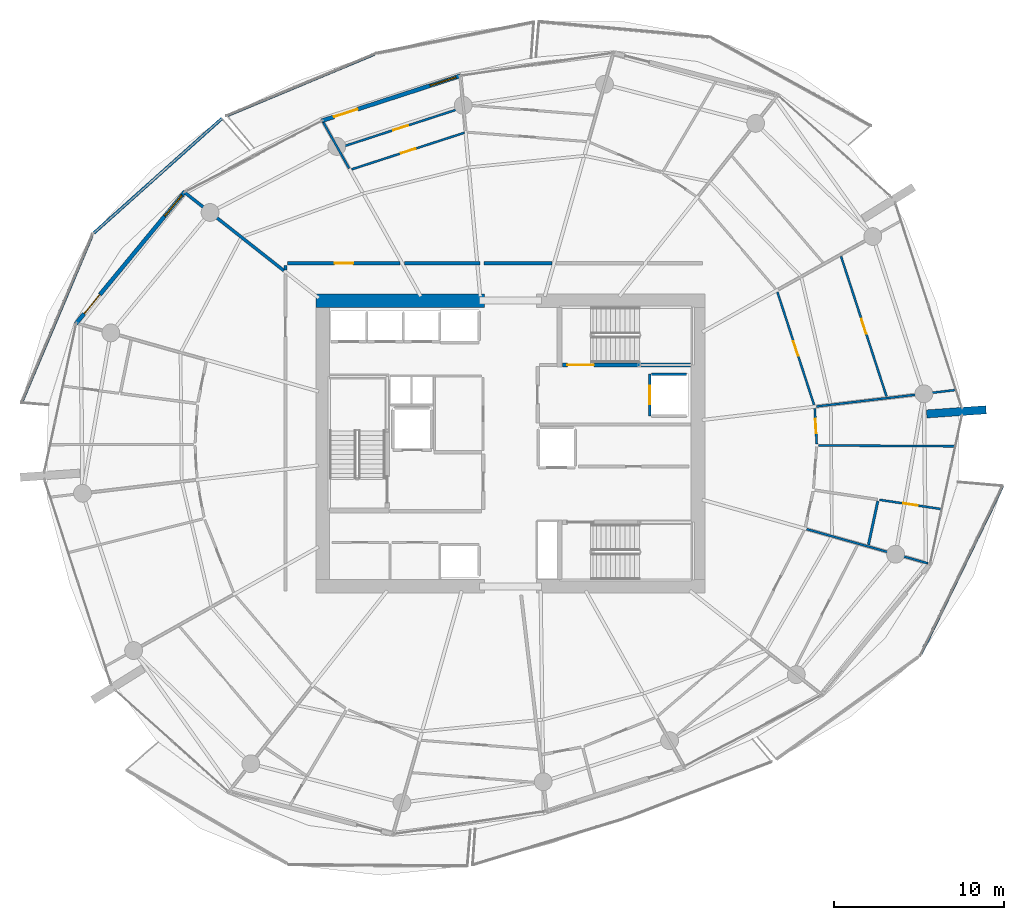
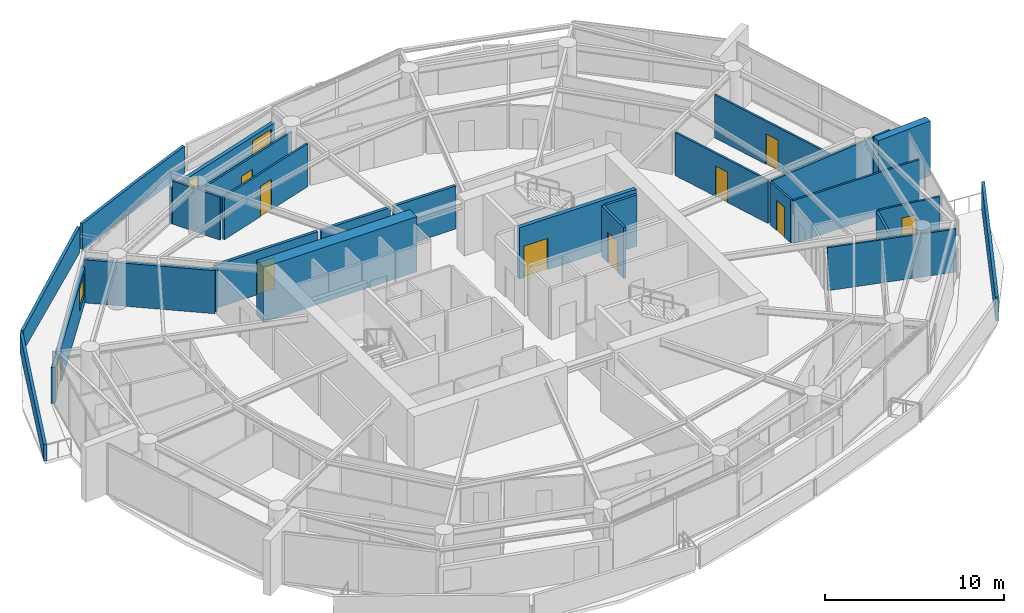
# One storey, part 14 of 20: 27 walls, 11 doors, 2 windows, 13 openings.
"""IFC4 building model written with IfcOpenShell, lengths in metres."""

from ifc_helpers import new_model, si_unit, direction, frame, frame_2d, origin, place, context, subcontext, project, spatial, polyline, rectangle, outline, extrude, material, layer, layer_set, type_object, element, fill, save


model = new_model("IFC4")

# Units and contexts
model_context = context("Model", 3, precision=1e-05, world=origin(), true_north=direction((0.0, 1.0)))
body_context = subcontext(model_context, "Body", "Model", "MODEL_VIEW")
ifc_project = project(units=[si_unit("LENGTHUNIT", "METRE"), si_unit("AREAUNIT", "SQUARE_METRE"), si_unit("VOLUMEUNIT", "CUBIC_METRE"), si_unit("PLANEANGLEUNIT", "RADIAN"), si_unit("MASSUNIT", "GRAM", prefix="KILO")], contexts=[model_context])

# Site, building, storey
site_placement = place(None, origin())
site = spatial("IfcSite", under=ifc_project, at=site_placement, CompositionType="ELEMENT")
building_placement = place(site_placement, origin())
building = spatial("IfcBuilding", under=site, at=building_placement, Name="Kazma Halo Residences", CompositionType="ELEMENT")
storey_placement = place(building_placement, frame((0.0, 0.0, 150.300048828125)))
storey = spatial("IfcBuildingStorey", under=building, at=storey_placement, Name="L37", CompositionType="ELEMENT", Elevation=150.300048828125)

# Walls
ifc_material_1 = material(Name="White Concrete C50/60 Balustrade", Category="concrete")
ifc_layer_1 = layer(ifc_material_1, 0.179931640625)
ifc_layer_set_1 = layer_set([ifc_layer_1], Name="White Concrete C50/60 Balustrade")
wall_type_1 = type_object("IfcWallType", Name="WL-BAL-WAVE-180", PredefinedType="PARAPET", material=ifc_layer_set_1)
wall_1_placement = place(storey_placement, frame((40.433349609375, 64.90087890625, 0.0), z_axis=(0.0, 0.0, 1.0), x_axis=(-0.922918869306, -0.384994494349, 0.0)))
element("IfcWall", 1, at=wall_1_placement, inside=storey, type_object=wall_type_1, Name="L37 white wave balustrade wall NNW.2", PredefinedType="PARAPET", context=body_context, shape_type="SweptSolid", body=[
    extrude(outline(polyline([(0.0, 0.0), (9.4189453125, 0.0), (9.418701171875, 1.755859375), (4.70947265625, 1.85302734375), (0.0, 1.83203125), (0.0, 0.0)])), frame((0.0, 0.08984375, 0.0), z_axis=(0.0, -1.0, 0.0), x_axis=(1.0, 0.0, 0.0)), (0.0, 0.0, 1.0), 0.179931640625),
])
wall_2_placement = place(storey_placement, frame((31.47021484375, 61.1162109375, 0.0), z_axis=(0.0, 0.0, 1.0), x_axis=(-0.745533944851, -0.666467656435, 0.0)))
element("IfcWall", 2, at=wall_2_placement, inside=storey, type_object=wall_type_1, Name="L37 white wave balustrade wall NW.1", PredefinedType="PARAPET", context=body_context, shape_type="SweptSolid", body=[
    extrude(outline(polyline([(0.0, 0.0), (10.10009765625, 0.0), (10.100341796875, 1.347900390625), (5.05029296875, 1.56201171875), (0.0, 1.7470703125), (0.0, 0.0)])), frame((0.0, 0.08984375, 0.0), z_axis=(0.0, -1.0, 0.0), x_axis=(1.0, 0.0, 0.0)), (0.0, 0.0, 1.0), 0.179931640625),
])
wall_3_placement = place(storey_placement, frame((23.803955078125, 54.194091796875, 0.0), z_axis=(0.0, 0.0, 1.0), x_axis=(-0.388680391431, -0.921372646282, 0.0)))
element("IfcWall", 3, at=wall_3_placement, inside=storey, type_object=wall_type_1, Name="L37 white wave balustrade wall NW.2", PredefinedType="PARAPET", context=body_context, shape_type="SweptSolid", body=[
    extrude(outline(polyline([(0.0, 0.0), (10.6259765625, 0.0), (10.626220703125, 1.119873046875), (5.31298828125, 1.181884765625), (0.0, 1.347900390625), (0.0, 0.0)])), frame((0.0, 0.08984375, 0.0), z_axis=(0.0, -1.0, 0.0), x_axis=(1.0, 0.0, 0.0)), (0.0, 0.0, 1.0), 0.179931640625),
])
wall_4_placement = place(storey_placement, frame((72.556396484375, 29.62255859375, 0.0), z_axis=(0.0, 0.0, 1.0), x_axis=(0.437208925246, 0.899359970026, 0.0)))
element("IfcWall", 4, at=wall_4_placement, inside=storey, type_object=wall_type_1, Name="L37 white wave balustrade wall SE.2", PredefinedType="PARAPET", context=body_context, shape_type="SweptSolid", body=[
    extrude(outline(polyline([(0.0, 0.0), (10.9921875, 0.0), (10.9921875, 1.85986328125), (5.49609375, 1.7978515625), (0.0, 1.6318359375), (0.0, 0.0)])), frame((0.0, 0.08984375, 0.0), z_axis=(0.0, -1.0, 0.0), x_axis=(1.0, 0.0, 0.0)), (0.0, 0.0, 1.0), 0.179931640625),
])
ifc_material_2 = material(Name="Pale Concrete C60/75", Category="concrete")
ifc_layer_2 = layer(ifc_material_2, 0.47998046875)
ifc_layer_set_2 = layer_set([ifc_layer_2], Name="Pale Concrete C60/75")
wall_type_2 = type_object("IfcWallType", Name="WL-BLADE-480", PredefinedType="SOLIDWALL", material=ifc_layer_set_2)
wall_5_placement = place(storey_placement, frame((72.89697265625, 43.740966796875, 0.0), z_axis=(0.0, 0.0, 1.0), x_axis=(0.997564163539, 0.069754853754, 0.0)))
element("IfcWall", 5, at=wall_5_placement, inside=storey, type_object=wall_type_2, Name="L37 pale concrete structural blade fin wall BW-04", PredefinedType="SOLIDWALL", context=body_context, shape_type="SweptSolid", body=[
    extrude(rectangle(XDim=3.5, YDim=0.47998046875, at=frame_2d((1.75, 0.0))), origin(), (0.0, 0.0, 1.0), 3.75),
])
ifc_material_3 = material(Name="Concrete C80/95", Category="concrete")
ifc_layer_3 = layer(ifc_material_3, 0.800048828125)
ifc_layer_set_3 = layer_set([ifc_layer_3], Name="Concrete C80/95")
wall_type_3 = type_object("IfcWallType", Name="WL-CORE-800", PredefinedType="SHEAR", material=ifc_layer_set_3)
wall_6_placement = place(storey_placement, frame((37.0, 50.39990234375, 0.0), z_axis=(0.0, 0.0, 1.0), x_axis=(1.0, 0.0, 0.0)))
element("IfcWall", 6, at=wall_6_placement, inside=storey, type_object=wall_type_3, Name="L37 central core shear wall NW", PredefinedType="SHEAR", context=body_context, shape_type="SweptSolid", body=[
    extrude(rectangle(XDim=9.89990234375, YDim=0.800048828125, at=frame_2d((4.949951171875, 0.0))), origin(), (0.0, 0.0, 1.0), 3.75),
])
ifc_material_4 = material(Name="Acoustic Twin-Stud Gypsum")
ifc_layer_4 = layer(ifc_material_4, 0.179931640625)
ifc_layer_set_4 = layer_set([ifc_layer_4], Name="Acoustic Twin-Stud Gypsum")
wall_type_4 = type_object("IfcWallType", Name="WL-DEM-180", PredefinedType="PARTITIONING", material=ifc_layer_set_4)
wall_7_placement = place(storey_placement, frame((35.113525390625, 52.15869140625, 0.0), z_axis=(0.0, 0.0, 1.0), x_axis=(-0.78531739611, 0.619093359169, 0.0)))
element("IfcWall", 7, at=wall_7_placement, inside=storey, type_object=wall_type_4, Name="L37 apartment demising radial wall 05", PredefinedType="PARTITIONING", context=body_context, shape_type="SweptSolid", body=[
    extrude(rectangle(XDim=7.430419921875, YDim=0.179931640625, at=frame_2d((3.71533203125, 0.0))), origin(), (0.0, 0.0, 1.0), 2.93994140625),
])

# Wall, opening, door
wall_8_placement = place(storey_placement, frame((41.943603515625, 52.60009765625, 0.0), z_axis=(0.0, 0.0, 1.0), x_axis=(-1.0, 0.0, 0.0)))
wall_8 = element("IfcWall", 8, at=wall_8_placement, inside=storey, type_object=wall_type_4, Name="L37 Apartment 2 entrance corridor wall", PredefinedType="PARTITIONING", context=body_context, shape_type="SweptSolid", body=[
    extrude(rectangle(XDim=6.62353515625, YDim=0.179931640625, at=frame_2d((3.311767578125, 0.0))), origin(), (0.0, 0.0, 1.0), 2.93994140625),
])
opening_1_placement = place(wall_8_placement, frame((2.76171875, 0.0, 0.0)))
opening_1 = element("IfcOpeningElement", 9, at=opening_1_placement, cuts=wall_8, Name="Opening DA-1100", PredefinedType="OPENING", context=body_context, shape_type="SweptSolid", body=[
    extrude(rectangle(XDim=1.10009765625, YDim=2.10009765625, at=frame_2d((0.550048828125, 1.050048828125))), frame((0.0, 0.099853515625, 0.0), z_axis=(0.0, -1.0, 0.0), x_axis=(1.0, 0.0, 0.0)), (0.0, 0.0, 1.0), 0.199951171875),
])
ifc_material_5 = material(Name="Acoustic Walnut Fire Leaf")
door_type_1 = type_object("IfcDoorType", Name="DR-FD60-1100", OperationType="NOTDEFINED", PredefinedType="DOOR", material=ifc_material_5)
door_1_placement = place(opening_1_placement, origin())
door_1 = element("IfcDoor", 10, at=door_1_placement, inside=storey, type_object=door_type_1, Name="L37 Apartment 2 entrance fire door", OperationType="SINGLE_SWING_RIGHT", OverallHeight=2.10009765625, OverallWidth=1.10009765625, PredefinedType="DOOR", context=body_context, shape_type="SweptSolid", body=[
    extrude(rectangle(XDim=1.10009765625, YDim=2.10009765625, at=frame_2d((0.550048828125, 1.050048828125))), frame((0.0, 0.02490234375, 0.0), z_axis=(0.0, -1.0, 0.0), x_axis=(1.0, 0.0, 0.0)), (0.0, 0.0, 1.0), 0.050048828125),
])
fill(opening_1, door_1)

# Walls
wall_9_placement = place(storey_placement, frame((35.199951171875, 52.47998046875, 0.0), z_axis=(0.0, 0.0, 1.0), x_axis=(0.0, -1.0, 0.0)))
element("IfcWall", 11, at=wall_9_placement, inside=storey, type_object=wall_type_4, Name="L37 Apartment 2 entrance corridor wall", PredefinedType="PARTITIONING", context=body_context, shape_type="SweptSolid", body=[
    extrude(rectangle(XDim=0.269287109375, YDim=0.179931640625, at=frame_2d((0.134765625, 0.0))), origin(), (0.0, 0.0, 1.0), 2.93994140625),
])
wall_10_placement = place(storey_placement, frame((50.869384765625, 52.60009765625, 0.0), z_axis=(0.0, 0.0, 1.0), x_axis=(-1.0, 0.0, 0.0)))
element("IfcWall", 12, at=wall_10_placement, inside=storey, type_object=wall_type_4, Name="L37 Apartment 2 inner wall 2", PredefinedType="PARTITIONING", context=body_context, shape_type="SweptSolid", body=[
    extrude(rectangle(XDim=4.00390625, YDim=0.179931640625, at=frame_2d((2.001953125, 0.0))), origin(), (0.0, 0.0, 1.0), 2.93994140625),
])
wall_11_placement = place(storey_placement, frame((46.62548828125, 52.60009765625, 0.0), z_axis=(0.0, 0.0, 1.0), x_axis=(-1.0, 0.0, 0.0)))
element("IfcWall", 13, at=wall_11_placement, inside=storey, type_object=wall_type_4, Name="L37 Apartment 2 inner wall 3", PredefinedType="PARTITIONING", context=body_context, shape_type="SweptSolid", body=[
    extrude(rectangle(XDim=4.44189453125, YDim=0.179931640625, at=frame_2d((2.220947265625, 0.0))), origin(), (0.0, 0.0, 1.0), 2.93994140625),
])

# Wall, openings, door, window
ifc_material_6 = material(Name="Insulated Pale-Metal Composite Wall")
ifc_layer_5 = layer(ifc_material_6, 0.239990234375)
ifc_layer_set_5 = layer_set([ifc_layer_5], Name="Insulated Pale-Metal Composite Wall")
wall_type_5 = type_object("IfcWallType", Name="WL-EXT-HOST-240", PredefinedType="SOLIDWALL", material=ifc_layer_set_5)
wall_12_placement = place(storey_placement, frame((45.489990234375, 63.624267578125, 0.0), z_axis=(0.0, 0.0, 1.0), x_axis=(-0.951046390632, -0.309048156224, 0.0)))
wall_12 = element("IfcWall", 14, at=wall_12_placement, inside=storey, type_object=wall_type_5, Name="L37 exterior terrace-access wall B04", PredefinedType="SOLIDWALL", context=body_context, shape_type="SweptSolid", body=[
    extrude(rectangle(XDim=8.590087890625, YDim=0.239990234375, at=frame_2d((4.294921875, 0.0))), origin(), (0.0, 0.0, 1.0), 2.449951171875),
])
opening_2_placement = place(wall_12_placement, frame((6.370361328125, 0.0, 0.0)))
opening_2 = element("IfcOpeningElement", 15, at=opening_2_placement, cuts=wall_12, Name="Opening DTR-1600", PredefinedType="OPENING", context=body_context, shape_type="SweptSolid", body=[
    extrude(rectangle(XDim=1.449951171875, YDim=2.14990234375, at=frame_2d((0.72509765625, 1.074951171875))), frame((0.0, 0.1298828125, 0.0), z_axis=(0.0, -1.0, 0.0), x_axis=(1.0, 0.0, 0.0)), (0.0, 0.0, 1.0), 0.260009765625),
])
opening_3_placement = place(wall_12_placement, frame((0.280029296875, 0.0, 0.64990234375)))
opening_3 = element("IfcOpeningElement", 16, at=opening_3_placement, cuts=wall_12, Name="Opening W-1800", PredefinedType="OPENING", context=body_context, shape_type="SweptSolid", body=[
    extrude(rectangle(XDim=1.60009765625, YDim=1.5, at=frame_2d((0.800048828125, 0.75))), frame((0.0, 0.1298828125, 0.0), z_axis=(0.0, -1.0, 0.0), x_axis=(1.0, 0.0, 0.0)), (0.0, 0.0, 1.0), 0.260009765625),
])
ifc_material_7 = material(Name="Aluminium AW-6063 T6 Double-Glazed Terrace Door", Category="aluminium")
door_type_2 = type_object("IfcDoorType", Name="DR-EXT-TERR-1600", OperationType="NOTDEFINED", PredefinedType="DOOR", material=ifc_material_7)
door_2_placement = place(opening_2_placement, origin())
door_2 = element("IfcDoor", 17, at=door_2_placement, inside=storey, type_object=door_type_2, Name="L37 B04 balcony terrace door", OperationType="DOUBLE_DOOR_SLIDING", OverallHeight=2.14990234375, OverallWidth=1.449951171875, PredefinedType="DOOR", context=body_context, shape_type="SweptSolid", body=[
    extrude(rectangle(XDim=1.449951171875, YDim=2.14990234375, at=frame_2d((0.72509765625, 1.074951171875))), frame((0.0, 0.02490234375, 0.0), z_axis=(0.0, -1.0, 0.0), x_axis=(1.0, 0.0, 0.0)), (0.0, 0.0, 1.0), 0.050048828125),
])
fill(opening_2, door_2)
ifc_material_8 = material(Name="Clear Triple-Silver Low-E Glass in Aluminium AW-6063 T6 Frame", Category="aluminium")
window_type = type_object("IfcWindowType", Name="WIN-RES-1800", PartitioningType="DOUBLE_PANEL_VERTICAL", PredefinedType="WINDOW", material=ifc_material_8)
window_1_placement = place(opening_3_placement, origin())
window_1 = element("IfcWindow", 18, at=window_1_placement, inside=storey, type_object=window_type, Name="L37 B04 apartment window", OverallHeight=1.5, OverallWidth=1.60009765625, PartitioningType="SINGLE_PANEL", PredefinedType="WINDOW", context=body_context, shape_type="SweptSolid", body=[
    extrude(rectangle(XDim=1.60009765625, YDim=1.5, at=frame_2d((0.800048828125, 0.75))), frame((0.0, 0.030029296875, 0.0), z_axis=(0.0, -1.0, 0.0), x_axis=(1.0, 0.0, 0.0)), (0.0, 0.0, 1.0), 0.06005859375),
])
fill(opening_3, window_1)

wall_13_placement = place(storey_placement, frame((29.29052734375, 56.81298828125, 0.0), z_axis=(0.0, 0.0, 1.0), x_axis=(-0.636771922292, -0.77105221547, 0.0)))
wall_13 = element("IfcWall", 19, at=wall_13_placement, inside=storey, type_object=wall_type_5, Name="L37 exterior terrace-access wall B06", PredefinedType="SOLIDWALL", context=body_context, shape_type="SweptSolid", body=[
    extrude(rectangle(XDim=10.08154296875, YDim=0.239990234375, at=frame_2d((5.040771484375, 0.0))), origin(), (0.0, 0.0, 1.0), 2.449951171875),
])
opening_4_placement = place(wall_13_placement, frame((7.861572265625, 0.0, 0.0)))
opening_4 = element("IfcOpeningElement", 20, at=opening_4_placement, cuts=wall_13, Name="Opening DTR-1600", PredefinedType="OPENING", context=body_context, shape_type="SweptSolid", body=[
    extrude(rectangle(XDim=1.449951171875, YDim=2.14990234375, at=frame_2d((0.72509765625, 1.074951171875))), frame((0.0, 0.1298828125, 0.0), z_axis=(0.0, -1.0, 0.0), x_axis=(1.0, 0.0, 0.0)), (0.0, 0.0, 1.0), 0.260009765625),
])
opening_5_placement = place(wall_13_placement, frame((0.280029296875, 0.0, 0.64990234375)))
opening_5 = element("IfcOpeningElement", 21, at=opening_5_placement, cuts=wall_13, Name="Opening W-1800", PredefinedType="OPENING", context=body_context, shape_type="SweptSolid", body=[
    extrude(rectangle(XDim=1.60009765625, YDim=1.5, at=frame_2d((0.800048828125, 0.75))), frame((0.0, 0.1298828125, 0.0), z_axis=(0.0, -1.0, 0.0), x_axis=(1.0, 0.0, 0.0)), (0.0, 0.0, 1.0), 0.260009765625),
])
door_3_placement = place(opening_4_placement, origin())
door_3 = element("IfcDoor", 22, at=door_3_placement, inside=storey, type_object=door_type_2, Name="L37 B06 balcony terrace door", OperationType="DOUBLE_DOOR_SLIDING", OverallHeight=2.14990234375, OverallWidth=1.449951171875, PredefinedType="DOOR", context=body_context, shape_type="SweptSolid", body=[
    extrude(rectangle(XDim=1.449951171875, YDim=2.14990234375, at=frame_2d((0.72509765625, 1.074951171875))), frame((0.0, 0.02490234375, 0.0), z_axis=(0.0, -1.0, 0.0), x_axis=(1.0, 0.0, 0.0)), (0.0, 0.0, 1.0), 0.050048828125),
])
fill(opening_4, door_3)
window_2_placement = place(opening_5_placement, origin())
window_2 = element("IfcWindow", 23, at=window_2_placement, inside=storey, type_object=window_type, Name="L37 B06 apartment window", OverallHeight=1.5, OverallWidth=1.60009765625, PartitioningType="SINGLE_PANEL", PredefinedType="WINDOW", context=body_context, shape_type="SweptSolid", body=[
    extrude(rectangle(XDim=1.60009765625, YDim=1.5, at=frame_2d((0.800048828125, 0.75))), frame((0.0, 0.030029296875, 0.0), z_axis=(0.0, -1.0, 0.0), x_axis=(1.0, 0.0, 0.0)), (0.0, 0.0, 1.0), 0.06005859375),
])
fill(opening_5, window_2)

# Wall, opening, door
ifc_material_9 = material(Name="Fire-Rated Blockwork Masonry", Category="masonry")
ifc_layer_6 = layer(ifc_material_9, 0.199951171875)
ifc_layer_set_6 = layer_set([ifc_layer_6], Name="Fire-Rated Blockwork Masonry")
wall_type_6 = type_object("IfcWallType", Name="WL-FLB-200", PredefinedType="PARTITIONING", material=ifc_layer_set_6)
wall_14_placement = place(storey_placement, frame((56.6201171875, 46.080078125, 0.0), z_axis=(0.0, 0.0, 1.0), x_axis=(0.0, -1.0, 0.0)))
wall_14 = element("IfcWall", 24, at=wall_14_placement, inside=storey, type_object=wall_type_6, Name="L37 lift shaft FL-02 front wall", PredefinedType="PARTITIONING", context=body_context, shape_type="SweptSolid", body=[
    extrude(rectangle(XDim=2.4599609375, YDim=0.159912109375, at=frame_2d((1.22998046875, 0.0))), origin(), (0.0, 0.0, 1.0), 3.5),
])
opening_6_placement = place(wall_14_placement, frame((0.679931640625, 0.0, 0.0)))
opening_6 = element("IfcOpeningElement", 25, at=opening_6_placement, cuts=wall_14, Name="Opening LD-FL-02", PredefinedType="OPENING", context=body_context, shape_type="SweptSolid", body=[
    extrude(rectangle(XDim=1.10009765625, YDim=2.10009765625, at=frame_2d((0.550048828125, 1.050048828125))), frame((0.0, 0.08984375, 0.0), z_axis=(0.0, -1.0, 0.0), x_axis=(1.0, 0.0, 0.0)), (0.0, 0.0, 1.0), 0.179931640625),
])
ifc_material_10 = material(Name="Stainless Steel Fire-Rated", Category="steel")
door_type_3 = type_object("IfcDoorType", Name="DR-LIFT-SLD-1100", OperationType="DOUBLE_DOOR_SLIDING", PredefinedType="DOOR", material=ifc_material_10)
door_4_placement = place(opening_6_placement, origin())
door_4 = element("IfcDoor", 26, at=door_4_placement, inside=storey, type_object=door_type_3, Name="L37 lift FL-02 sliding landing door", OperationType="DOUBLE_DOOR_SLIDING", OverallHeight=2.10009765625, OverallWidth=1.10009765625, PredefinedType="DOOR", context=body_context, shape_type="SweptSolid", body=[
    extrude(rectangle(XDim=1.10009765625, YDim=2.10009765625, at=frame_2d((0.550048828125, 1.050048828125))), frame((0.0, 0.02490234375, 0.0), z_axis=(0.0, -1.0, 0.0), x_axis=(1.0, 0.0, 0.0)), (0.0, 0.0, 1.0), 0.050048828125),
])
fill(opening_6, door_4)

# Walls
wall_15_placement = place(storey_placement, frame((56.719970703125, 46.080078125, 0.0), z_axis=(0.0, 0.0, 1.0), x_axis=(1.0, 0.0, 0.0)))
element("IfcWall", 27, at=wall_15_placement, inside=storey, type_object=wall_type_6, Name="L37 lift shaft FL-02 side wall N", PredefinedType="PARTITIONING", context=body_context, shape_type="SweptSolid", body=[
    extrude(rectangle(XDim=2.06005859375, YDim=0.159912109375, at=frame_2d((1.030029296875, 0.0))), origin(), (0.0, 0.0, 1.0), 3.5),
])
ifc_material_11 = material(Name="Gypsum Plasterboard Partition")
ifc_layer_7 = layer(ifc_material_11, 0.125)
ifc_layer_set_7 = layer_set([ifc_layer_7], Name="Gypsum Plasterboard Partition")
wall_type_7 = type_object("IfcWallType", Name="WL-PART-125", PredefinedType="PARTITIONING", material=ifc_layer_set_7)
wall_16_placement = place(storey_placement, frame((65.843017578125, 36.9677734375, 0.0), z_axis=(0.0, 0.0, 1.0), x_axis=(0.962456736489, -0.271435131084, 0.0)))
element("IfcWall", 28, at=wall_16_placement, inside=storey, type_object=wall_type_7, Name="L37 Apartment 2 radial partition 14", PredefinedType="PARTITIONING", context=body_context, shape_type="SweptSolid", body=[
    extrude(rectangle(XDim=7.412353515625, YDim=0.125, at=frame_2d((3.7060546875, 0.0))), origin(), (0.0, 0.0, 1.0), 2.93994140625),
])

# Wall, opening, door
wall_17_placement = place(storey_placement, frame((70.1328125, 38.690185546875, 0.0), z_axis=(0.0, 0.0, 1.0), x_axis=(0.989002592366, -0.147898182183, 0.0)))
wall_17 = element("IfcWall", 29, at=wall_17_placement, inside=storey, type_object=wall_type_7, Name="L37 Apartment 2 South Walk-In Wardrobe partition wall", PredefinedType="PARTITIONING", context=body_context, shape_type="SweptSolid", body=[
    extrude(rectangle(XDim=3.671142578125, YDim=0.125, at=frame_2d((1.83544921875, 0.0))), origin(), (0.0, 0.0, 1.0), 2.93994140625),
])
opening_7_placement = place(wall_17_placement, frame((1.41064453125, 0.0, 0.0)))
opening_7 = element("IfcOpeningElement", 30, at=opening_7_placement, cuts=wall_17, Name="Opening DB-900", PredefinedType="OPENING", context=body_context, shape_type="SweptSolid", body=[
    extrude(rectangle(XDim=0.85009765625, YDim=2.06005859375, at=frame_2d((0.425048828125, 1.030029296875))), frame((0.0, 0.072509765625, 0.0), z_axis=(0.0, -1.0, 0.0), x_axis=(1.0, 0.0, 0.0)), (0.0, 0.0, 1.0), 0.14501953125),
])
ifc_material_12 = material(Name="Moisture-Sealed Timber Leaf", Category="wood")
door_type_4 = type_object("IfcDoorType", Name="DR-BTH-900", OperationType="NOTDEFINED", PredefinedType="DOOR", material=ifc_material_12)
door_5_placement = place(opening_7_placement, origin())
door_5 = element("IfcDoor", 31, at=door_5_placement, inside=storey, type_object=door_type_4, Name="L37 Apartment 2 South Walk-In Wardrobe door", OperationType="SINGLE_SWING_LEFT", OverallHeight=2.06005859375, OverallWidth=0.85009765625, PredefinedType="DOOR", context=body_context, shape_type="SweptSolid", body=[
    extrude(rectangle(XDim=0.85009765625, YDim=2.06005859375, at=frame_2d((0.425048828125, 1.030029296875))), frame((0.0, 0.02490234375, 0.0), z_axis=(0.0, -1.0, 0.0), x_axis=(1.0, 0.0, 0.0)), (0.0, 0.0, 1.0), 0.050048828125),
])
fill(opening_7, door_5)

# Wall
wall_18_placement = place(storey_placement, frame((66.52880859375, 41.888916015625, 0.0), z_axis=(0.0, 0.0, 1.0), x_axis=(0.999982052634, -0.00599119444, 0.0)))
element("IfcWall", 32, at=wall_18_placement, inside=storey, type_object=wall_type_7, Name="L37 Apartment 2 suite divider 14", PredefinedType="PARTITIONING", context=body_context, shape_type="SweptSolid", body=[
    extrude(rectangle(XDim=8.02783203125, YDim=0.125, at=frame_2d((4.013916015625, 0.0))), origin(), (0.0, 0.0, 1.0), 2.93994140625),
])

# Wall, opening, door
wall_19_placement = place(storey_placement, frame((66.43408203125, 41.96923828125, 0.0), z_axis=(0.0, 0.0, 1.0), x_axis=(-0.055766005986, 0.998443865511, 0.0)))
wall_19 = element("IfcWall", 33, at=wall_19_placement, inside=storey, type_object=wall_type_7, Name="L37 Apartment 2 Outer Master Bedroom hall wall", PredefinedType="PARTITIONING", context=body_context, shape_type="SweptSolid", body=[
    extrude(rectangle(XDim=2.101318359375, YDim=0.125, at=frame_2d((1.05078125, 0.0))), origin(), (0.0, 0.0, 1.0), 2.93994140625),
])
opening_8_placement = place(wall_19_placement, frame((0.625732421875, 0.0, 0.0)))
opening_8 = element("IfcOpeningElement", 34, at=opening_8_placement, cuts=wall_19, Name="Opening DB-900", PredefinedType="OPENING", context=body_context, shape_type="SweptSolid", body=[
    extrude(rectangle(XDim=0.85009765625, YDim=2.06005859375, at=frame_2d((0.425048828125, 1.030029296875))), frame((0.0, 0.072509765625, 0.0), z_axis=(0.0, -1.0, 0.0), x_axis=(1.0, 0.0, 0.0)), (0.0, 0.0, 1.0), 0.14501953125),
])
door_6_placement = place(opening_8_placement, origin())
door_6 = element("IfcDoor", 35, at=door_6_placement, inside=storey, type_object=door_type_4, Name="L37 Apartment 2 Outer Master Bedroom door", OperationType="SINGLE_SWING_LEFT", OverallHeight=2.06005859375, OverallWidth=0.85009765625, PredefinedType="DOOR", context=body_context, shape_type="SweptSolid", body=[
    extrude(rectangle(XDim=0.85009765625, YDim=2.06005859375, at=frame_2d((0.425048828125, 1.030029296875))), frame((0.0, 0.02490234375, 0.0), z_axis=(0.0, -1.0, 0.0), x_axis=(1.0, 0.0, 0.0)), (0.0, 0.0, 1.0), 0.050048828125),
])
fill(opening_8, door_6)

# Wall
wall_20_placement = place(storey_placement, frame((66.410400390625, 44.17919921875, 0.0), z_axis=(0.0, 0.0, 1.0), x_axis=(0.993070354128, 0.117521367213, 0.0)))
element("IfcWall", 36, at=wall_20_placement, inside=storey, type_object=wall_type_7, Name="L37 Apartment 2 radial partition 15", PredefinedType="PARTITIONING", context=body_context, shape_type="SweptSolid", body=[
    extrude(rectangle(XDim=8.247314453125, YDim=0.125, at=frame_2d((4.12353515625, 0.0))), origin(), (0.0, 0.0, 1.0), 2.93994140625),
])

# Wall, opening, door
wall_21_placement = place(storey_placement, frame((66.277099609375, 44.27197265625, 0.0), z_axis=(0.0, 0.0, 1.0), x_axis=(-0.308993461661, 0.951064162215, 0.0)))
wall_21 = element("IfcWall", 37, at=wall_21_placement, inside=storey, type_object=wall_type_7, Name="L37 Apartment 2 Corner Study hall wall", PredefinedType="PARTITIONING", context=body_context, shape_type="SweptSolid", body=[
    extrude(rectangle(XDim=6.974365234375, YDim=0.125, at=frame_2d((3.4873046875, 0.0))), origin(), (0.0, 0.0, 1.0), 2.93994140625),
])
opening_9_placement = place(wall_21_placement, frame((3.037353515625, 0.0, 0.0)))
opening_9 = element("IfcOpeningElement", 38, at=opening_9_placement, cuts=wall_21, Name="Opening DI-950", PredefinedType="OPENING", context=body_context, shape_type="SweptSolid", body=[
    extrude(rectangle(XDim=0.89990234375, YDim=2.080078125, at=frame_2d((0.449951171875, 1.0400390625))), frame((0.0, 0.072509765625, 0.0), z_axis=(0.0, -1.0, 0.0), x_axis=(1.0, 0.0, 0.0)), (0.0, 0.0, 1.0), 0.14501953125),
])
ifc_material_13 = material(Name="Timber Veneer Flush Leaf", Category="wood")
door_type_5 = type_object("IfcDoorType", Name="DR-INT-950", OperationType="NOTDEFINED", PredefinedType="DOOR", material=ifc_material_13)
door_7_placement = place(opening_9_placement, origin())
door_7 = element("IfcDoor", 39, at=door_7_placement, inside=storey, type_object=door_type_5, Name="L37 Apartment 2 Corner Study door", OperationType="SINGLE_SWING_LEFT", OverallHeight=2.080078125, OverallWidth=0.89990234375, PredefinedType="DOOR", context=body_context, shape_type="SweptSolid", body=[
    extrude(rectangle(XDim=0.89990234375, YDim=2.080078125, at=frame_2d((0.449951171875, 1.0400390625))), frame((0.0, 0.02490234375, 0.0), z_axis=(0.0, -1.0, 0.0), x_axis=(1.0, 0.0, 0.0)), (0.0, 0.0, 1.0), 0.050048828125),
])
fill(opening_9, door_7)

wall_22_placement = place(storey_placement, frame((70.535400390625, 44.77587890625, 0.0), z_axis=(0.0, 0.0, 1.0), x_axis=(-0.309002443549, 0.951061244022, 0.0)))
wall_22 = element("IfcWall", 40, at=wall_22_placement, inside=storey, type_object=wall_type_7, Name="L37 Apartment 2 Garden Master Bedroom divider wall", PredefinedType="PARTITIONING", context=body_context, shape_type="SweptSolid", body=[
    extrude(rectangle(XDim=8.6474609375, YDim=0.125, at=frame_2d((4.32373046875, 0.0))), origin(), (0.0, 0.0, 1.0), 2.93994140625),
])
opening_10_placement = place(wall_22_placement, frame((3.873779296875, 0.0, 0.0)))
opening_10 = element("IfcOpeningElement", 41, at=opening_10_placement, cuts=wall_22, Name="Opening DI-950", PredefinedType="OPENING", context=body_context, shape_type="SweptSolid", body=[
    extrude(rectangle(XDim=0.89990234375, YDim=2.080078125, at=frame_2d((0.449951171875, 1.0400390625))), frame((0.0, 0.072509765625, 0.0), z_axis=(0.0, -1.0, 0.0), x_axis=(1.0, 0.0, 0.0)), (0.0, 0.0, 1.0), 0.14501953125),
])
door_8_placement = place(opening_10_placement, origin())
door_8 = element("IfcDoor", 42, at=door_8_placement, inside=storey, type_object=door_type_5, Name="L37 Apartment 2 Garden Master Bedroom door", OperationType="SINGLE_SWING_RIGHT", OverallHeight=2.080078125, OverallWidth=0.89990234375, PredefinedType="DOOR", context=body_context, shape_type="SweptSolid", body=[
    extrude(rectangle(XDim=0.89990234375, YDim=2.080078125, at=frame_2d((0.449951171875, 1.0400390625))), frame((0.0, 0.02490234375, 0.0), z_axis=(0.0, -1.0, 0.0), x_axis=(1.0, 0.0, 0.0)), (0.0, 0.0, 1.0), 0.050048828125),
])
fill(opening_10, door_8)

# Wall
wall_23_placement = place(storey_placement, frame((38.94140625, 58.17529296875, 0.0), z_axis=(0.0, 0.0, 1.0), x_axis=(-0.488620181058, 0.872496600946, 0.0)))
element("IfcWall", 43, at=wall_23_placement, inside=storey, type_object=wall_type_7, Name="L37 Apartment 2 living radial partition 3", PredefinedType="PARTITIONING", context=body_context, shape_type="SweptSolid", body=[
    extrude(rectangle(XDim=3.095458984375, YDim=0.125, at=frame_2d((1.5478515625, 0.0))), origin(), (0.0, 0.0, 1.0), 2.93994140625),
])

# Wall, opening, door
wall_24_placement = place(storey_placement, frame((45.72802734375, 60.277099609375, 0.0), z_axis=(0.0, 0.0, 1.0), x_axis=(-0.951064162215, -0.308993461661, 0.0)))
wall_24 = element("IfcWall", 44, at=wall_24_placement, inside=storey, type_object=wall_type_7, Name="L37 Apartment 2 North Study hall wall", PredefinedType="PARTITIONING", context=body_context, shape_type="SweptSolid", body=[
    extrude(rectangle(XDim=6.974365234375, YDim=0.125, at=frame_2d((3.4873046875, 0.0))), origin(), (0.0, 0.0, 1.0), 2.93994140625),
])
opening_11_placement = place(wall_24_placement, frame((3.037353515625, 0.0, 0.0)))
opening_11 = element("IfcOpeningElement", 45, at=opening_11_placement, cuts=wall_24, Name="Opening DI-950", PredefinedType="OPENING", context=body_context, shape_type="SweptSolid", body=[
    extrude(rectangle(XDim=0.89990234375, YDim=2.080078125, at=frame_2d((0.449951171875, 1.0400390625))), frame((0.0, 0.072509765625, 0.0), z_axis=(0.0, -1.0, 0.0), x_axis=(1.0, 0.0, 0.0)), (0.0, 0.0, 1.0), 0.14501953125),
])
door_9_placement = place(opening_11_placement, origin())
door_9 = element("IfcDoor", 46, at=door_9_placement, inside=storey, type_object=door_type_5, Name="L37 Apartment 2 North Study door", OperationType="SINGLE_SWING_LEFT", OverallHeight=2.080078125, OverallWidth=0.89990234375, PredefinedType="DOOR", context=body_context, shape_type="SweptSolid", body=[
    extrude(rectangle(XDim=0.89990234375, YDim=2.080078125, at=frame_2d((0.449951171875, 1.0400390625))), frame((0.0, 0.02490234375, 0.0), z_axis=(0.0, -1.0, 0.0), x_axis=(1.0, 0.0, 0.0)), (0.0, 0.0, 1.0), 0.050048828125),
])
fill(opening_11, door_9)

wall_25_placement = place(storey_placement, frame((45.556396484375, 61.72802734375, 0.0), z_axis=(0.0, 0.0, 1.0), x_axis=(-0.951060224054, -0.309005582834, 0.0)))
wall_25 = element("IfcWall", 47, at=wall_25_placement, inside=storey, type_object=wall_type_7, Name="L37 Apartment 2 South Bedroom divider wall", PredefinedType="PARTITIONING", context=body_context, shape_type="SweptSolid", body=[
    extrude(rectangle(XDim=7.54443359375, YDim=0.125, at=frame_2d((3.772216796875, 0.0))), origin(), (0.0, 0.0, 1.0), 2.93994140625),
])
opening_12_placement = place(wall_25_placement, frame((3.322265625, 0.0, 0.0)))
opening_12 = element("IfcOpeningElement", 48, at=opening_12_placement, cuts=wall_25, Name="Opening DI-950", PredefinedType="OPENING", context=body_context, shape_type="SweptSolid", body=[
    extrude(rectangle(XDim=0.89990234375, YDim=2.080078125, at=frame_2d((0.449951171875, 1.0400390625))), frame((0.0, 0.072509765625, 0.0), z_axis=(0.0, -1.0, 0.0), x_axis=(1.0, 0.0, 0.0)), (0.0, 0.0, 1.0), 0.14501953125),
])
door_10_placement = place(opening_12_placement, origin())
door_10 = element("IfcDoor", 49, at=door_10_placement, inside=storey, type_object=door_type_5, Name="L37 Apartment 2 South Bedroom door", OperationType="SINGLE_SWING_RIGHT", OverallHeight=2.080078125, OverallWidth=0.89990234375, PredefinedType="DOOR", context=body_context, shape_type="SweptSolid", body=[
    extrude(rectangle(XDim=0.89990234375, YDim=2.080078125, at=frame_2d((0.449951171875, 1.0400390625))), frame((0.0, 0.02490234375, 0.0), z_axis=(0.0, -1.0, 0.0), x_axis=(1.0, 0.0, 0.0)), (0.0, 0.0, 1.0), 0.050048828125),
])
fill(opening_12, door_10)

ifc_material_14 = material(Name="Concrete C50/60", Category="concrete")
ifc_layer_8 = layer(ifc_material_14, 0.25)
ifc_layer_set_8 = layer_set([ifc_layer_8], Name="Concrete C50/60")
wall_type_8 = type_object("IfcWallType", Name="WL-SHF-250", PredefinedType="SOLIDWALL", material=ifc_layer_set_8)
wall_26_placement = place(storey_placement, frame((51.47998046875, 46.6201171875, 0.0), z_axis=(0.0, 0.0, 1.0), x_axis=(1.0, 0.0, 0.0)))
wall_26 = element("IfcWall", 50, at=wall_26_placement, inside=storey, type_object=wall_type_8, Name="L37 exit stair ST-02 enclosure wall", PredefinedType="SOLIDWALL", context=body_context, shape_type="SweptSolid", body=[
    extrude(rectangle(XDim=7.5400390625, YDim=0.25, at=frame_2d((3.77001953125, 0.0))), origin(), (0.0, 0.0, 1.0), 3.5),
])
opening_13_placement = place(wall_26_placement, frame((0.300048828125, 0.0, 0.0)))
opening_13 = element("IfcOpeningElement", 51, at=opening_13_placement, cuts=wall_26, Name="Opening D-ST2", PredefinedType="OPENING", context=body_context, shape_type="SweptSolid", body=[
    extrude(rectangle(XDim=1.550048828125, YDim=2.14990234375, at=frame_2d((0.77490234375, 1.074951171875))), frame((0.0, 0.135009765625, 0.0), z_axis=(0.0, -1.0, 0.0), x_axis=(1.0, 0.0, 0.0)), (0.0, 0.0, 1.0), 0.27001953125),
])
ifc_material_15 = material(Name="Fire-Rated Double Steel Leaf", Category="steel")
door_type_6 = type_object("IfcDoorType", Name="DR-FD90-1550", OperationType="NOTDEFINED", PredefinedType="DOOR", material=ifc_material_15)
door_11_placement = place(opening_13_placement, origin())
door_11 = element("IfcDoor", 52, at=door_11_placement, inside=storey, type_object=door_type_6, Name="L37 exit stair ST-02 fire door", OperationType="DOUBLE_DOOR_SINGLE_SWING", OverallHeight=2.14990234375, OverallWidth=1.550048828125, PredefinedType="DOOR", context=body_context, shape_type="SweptSolid", body=[
    extrude(rectangle(XDim=1.550048828125, YDim=2.14990234375, at=frame_2d((0.77490234375, 1.074951171875))), frame((0.0, 0.02490234375, 0.0), z_axis=(0.0, -1.0, 0.0), x_axis=(1.0, 0.0, 0.0)), (0.0, 0.0, 1.0), 0.050048828125),
])
fill(opening_13, door_11)

# Wall
ifc_material_16 = material(Name="Moisture-Resistant Gypsum")
ifc_layer_9 = layer(ifc_material_16, 0.14990234375)
ifc_layer_set_9 = layer_set([ifc_layer_9], Name="Moisture-Resistant Gypsum")
wall_type_9 = type_object("IfcWallType", Name="WL-WET-150", PredefinedType="PARTITIONING", material=ifc_layer_set_9)
wall_27_placement = place(storey_placement, frame((69.47314453125, 36.047607421875, 0.0), z_axis=(0.0, 0.0, 1.0), x_axis=(0.210074988051, 0.97768527625, 0.0)))
element("IfcWall", 53, at=wall_27_placement, inside=storey, type_object=wall_type_9, Name="L37 Apartment 2 North En-Suite Bathroom back wall", PredefinedType="PARTITIONING", context=body_context, shape_type="SweptSolid", body=[
    extrude(rectangle(XDim=2.62646484375, YDim=0.14990234375, at=frame_2d((1.313232421875, 0.0))), origin(), (0.0, 0.0, 1.0), 2.93994140625),
])

save(model, "model.ifc")
